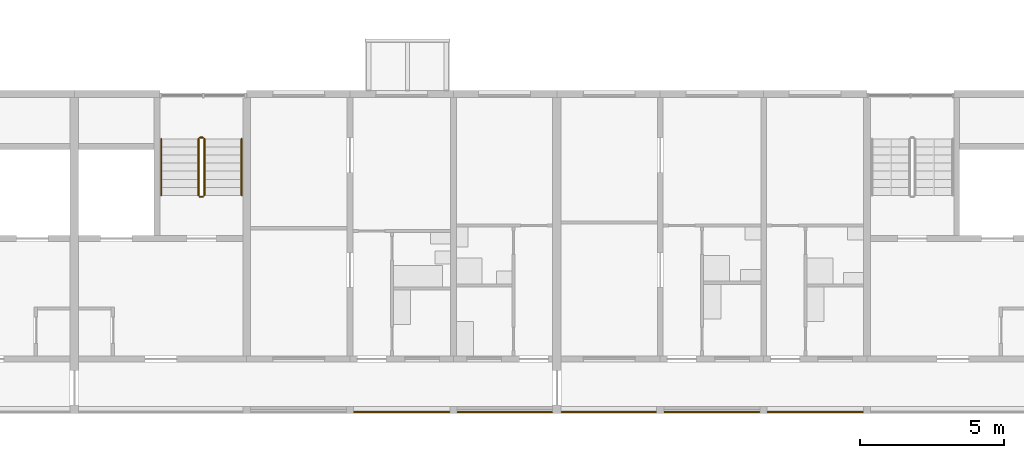
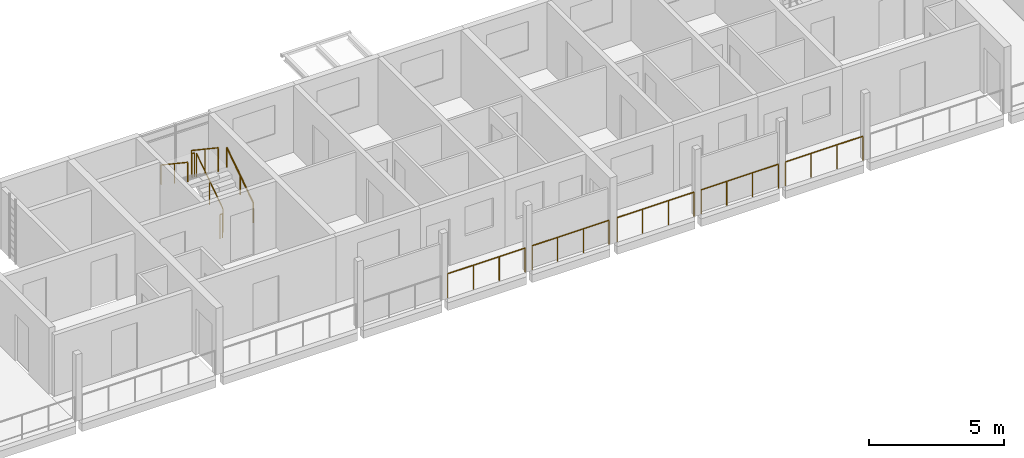
# One storey, part 55 of 64: 11 railings.
"""IFC4 building model written with IfcOpenShell, lengths in metres."""

from ifc_helpers import new_model, si_unit, direction, frame, origin, origin_2d, place, context, subcontext, project, spatial, circle, extrude, material, type_object, element, save


model = new_model("IFC4")

# Units and contexts
model_context = context("Model", 3, precision=1e-05, world=origin(), true_north=direction((0.0, 1.0)))
body_context = subcontext(model_context, "Body", "Model", "MODEL_VIEW")
ifc_project = project(units=[si_unit("LENGTHUNIT", "METRE"), si_unit("AREAUNIT", "SQUARE_METRE"), si_unit("VOLUMEUNIT", "CUBIC_METRE"), si_unit("PLANEANGLEUNIT", "RADIAN"), si_unit("MASSUNIT", "GRAM", prefix="KILO")], contexts=[model_context])

# Site, building, storey
site_placement = place(None, origin())
site = spatial("IfcSite", under=ifc_project, at=site_placement, CompositionType="ELEMENT")
building_placement = place(site_placement, origin())
building = spatial("IfcBuilding", under=site, at=building_placement, Name="Ridgestep Commons", CompositionType="ELEMENT")
storey_placement = place(building_placement, frame((0.0, 0.0, 33.0)))
storey = spatial("IfcBuildingStorey", under=building, at=storey_placement, Name="L11", CompositionType="ELEMENT", Elevation=33.0)

# Railings
ifc_material_1 = material(Name="Structural steel S355JR", Category="steel")
railing_type_1 = type_object("IfcRailingType", Name="Guard 1100", PredefinedType="GUARDRAIL", material=ifc_material_1)
railing_1_placement = place(storey_placement, frame((173.345947265625, 11.800048828125, 0.0)))
element("IfcRailing", 1, at=railing_1_placement, inside=storey, type_object=railing_type_1, Name="Gallery guard D 11.5", PredefinedType="GUARDRAIL", context=body_context, shape_type="SweptSolid", body=[
    extrude(circle(Radius=0.02392578125, at=origin_2d()), frame((0.0, 0.0, 1.076171875), z_axis=(1.0, 0.0, 0.0), x_axis=(0.0, 1.0, 0.0)), (0.0, 0.0, 1.0), 3.30810546875),
    extrude(circle(Radius=0.02099609375, at=origin_2d()), origin(), (0.0, 0.0, 1.0), 1.052001953125),
    extrude(circle(Radius=0.02099609375, at=origin_2d()), frame((1.102783203125, 0.0, 0.0)), (0.0, 0.0, 1.0), 1.052001953125),
    extrude(circle(Radius=0.02099609375, at=origin_2d()), frame((2.205322265625, 0.0, 0.0)), (0.0, 0.0, 1.0), 1.052001953125),
    extrude(circle(Radius=0.02099609375, at=origin_2d()), frame((3.30810546875, 0.0, 0.0)), (0.0, 0.0, 1.0), 1.052001953125),
])
for number, where, name in (
    (2, (176.946044921875, 11.800048828125, 0.0), "Gallery guard D 11.6"),
    (3, (180.571044921875, 11.800048828125, 0.0), "Gallery guard D 11.7"),
):
    element("IfcRailing", number, at=place(storey_placement, frame(where)), inside=storey, type_object=railing_type_1, Name=name, PredefinedType="GUARDRAIL", context=body_context, shape_type="SweptSolid", body=[
        extrude(circle(Radius=0.02392578125, at=origin_2d()), frame((0.0, 0.0, 1.076171875), z_axis=(1.0, 0.0, 0.0), x_axis=(0.0, 1.0, 0.0)), (0.0, 0.0, 1.0), 3.282958984375),
        extrude(circle(Radius=0.02099609375, at=origin_2d()), origin(), (0.0, 0.0, 1.0), 1.052001953125),
        extrude(circle(Radius=0.02099609375, at=origin_2d()), frame((1.09423828125, 0.0, 0.0)), (0.0, 0.0, 1.0), 1.052001953125),
        extrude(circle(Radius=0.02099609375, at=origin_2d()), frame((2.188720703125, 0.0, 0.0)), (0.0, 0.0, 1.0), 1.052001953125),
        extrude(circle(Radius=0.02099609375, at=origin_2d()), frame((3.282958984375, 0.0, 0.0)), (0.0, 0.0, 1.0), 1.052001953125),
    ])
railing_2_placement = place(storey_placement, frame((184.14599609375, 11.800048828125, 0.0)))
element("IfcRailing", 4, at=railing_2_placement, inside=storey, type_object=railing_type_1, Name="Gallery guard D 11.8", PredefinedType="GUARDRAIL", context=body_context, shape_type="SweptSolid", body=[
    extrude(circle(Radius=0.02392578125, at=origin_2d()), frame((0.0, 0.0, 1.076171875), z_axis=(1.0, 0.0, 0.0), x_axis=(0.0, 1.0, 0.0)), (0.0, 0.0, 1.0), 3.30810546875),
    extrude(circle(Radius=0.02099609375, at=origin_2d()), origin(), (0.0, 0.0, 1.0), 1.052001953125),
    extrude(circle(Radius=0.02099609375, at=origin_2d()), frame((1.102783203125, 0.0, 0.0)), (0.0, 0.0, 1.0), 1.052001953125),
    extrude(circle(Radius=0.02099609375, at=origin_2d()), frame((2.205322265625, 0.0, 0.0)), (0.0, 0.0, 1.0), 1.052001953125),
    extrude(circle(Radius=0.02099609375, at=origin_2d()), frame((3.30810546875, 0.0, 0.0)), (0.0, 0.0, 1.0), 1.052001953125),
])
railing_3_placement = place(storey_placement, frame((187.74609375, 11.800048828125, 0.0)))
element("IfcRailing", 5, at=railing_3_placement, inside=storey, type_object=railing_type_1, Name="Gallery guard D 11.9", PredefinedType="GUARDRAIL", context=body_context, shape_type="SweptSolid", body=[
    extrude(circle(Radius=0.02392578125, at=origin_2d()), frame((0.0, 0.0, 1.076171875), z_axis=(1.0, 0.0, 0.0), x_axis=(0.0, 1.0, 0.0)), (0.0, 0.0, 1.0), 3.307861328125),
    extrude(circle(Radius=0.02099609375, at=origin_2d()), origin(), (0.0, 0.0, 1.0), 1.052001953125),
    extrude(circle(Radius=0.02099609375, at=origin_2d()), frame((1.1025390625, 0.0, 0.0)), (0.0, 0.0, 1.0), 1.052001953125),
    extrude(circle(Radius=0.02099609375, at=origin_2d()), frame((2.205322265625, 0.0, 0.0)), (0.0, 0.0, 1.0), 1.052001953125),
    extrude(circle(Radius=0.02099609375, at=origin_2d()), frame((3.307861328125, 0.0, 0.0)), (0.0, 0.0, 1.0), 1.052001953125),
])
ifc_material_2 = material(Name="Structural steel S355JR", Category="steel")
railing_type_2 = type_object("IfcRailingType", Name="Stair guard 1100", PredefinedType="GUARDRAIL", material=ifc_material_2)
railing_4_placement = place(storey_placement, frame((168.125, 19.35009765625, 0.1875)))
element("IfcRailing", 6, at=railing_4_placement, inside=storey, type_object=railing_type_2, Name="L11 D2C stair guard 1", PredefinedType="GUARDRAIL", context=body_context, shape_type="SweptSolid", body=[
    extrude(circle(Radius=0.02392578125, at=origin_2d()), frame((0.0, 0.0, 1.076171875), z_axis=(0.0, 0.830902050051, 0.556418712142), x_axis=(-1.0, 0.0, 0.0)), (0.0, 0.0, 1.0), 2.35888671875),
    extrude(circle(Radius=0.02099609375, at=origin_2d()), origin(), (0.0, 0.0, 1.0), 1.052001953125),
    extrude(circle(Radius=0.02099609375, at=origin_2d()), frame((0.0, 0.97998046875, 0.65625)), (0.0, 0.0, 1.0), 1.052001953125),
    extrude(circle(Radius=0.02099609375, at=origin_2d()), frame((0.0, 1.9599609375, 1.3125)), (0.0, 0.0, 1.0), 1.052001953125),
])
railing_5_placement = place(storey_placement, frame((168.074951171875, 21.360107421875, 1.5)))
element("IfcRailing", 7, at=railing_5_placement, inside=storey, type_object=railing_type_2, Name="L11 D2C stair guard 2", PredefinedType="GUARDRAIL", context=body_context, shape_type="SweptSolid", body=[
    extrude(circle(Radius=0.02392578125, at=origin_2d()), frame((0.0, 0.0, 1.076171875), z_axis=(-1.0, 0.0, 0.0), x_axis=(0.0, -1.0, 0.0)), (0.0, 0.0, 1.0), 0.099853515625),
    extrude(circle(Radius=0.02099609375, at=origin_2d()), origin(), (0.0, 0.0, 1.0), 1.052001953125),
    extrude(circle(Radius=0.02099609375, at=origin_2d()), frame((-0.099853515625, 0.0, 0.0)), (0.0, 0.0, 1.0), 1.052001953125),
])
railing_6_placement = place(storey_placement, frame((167.925048828125, 21.31005859375, 1.6875)))
element("IfcRailing", 8, at=railing_6_placement, inside=storey, type_object=railing_type_2, Name="L11 D2C stair guard 3", PredefinedType="GUARDRAIL", context=body_context, shape_type="SweptSolid", body=[
    extrude(circle(Radius=0.02392578125, at=origin_2d()), frame((0.0, 0.0, 1.076171875), z_axis=(0.0, -0.830902050051, 0.556418712142), x_axis=(1.0, 0.0, 0.0)), (0.0, 0.0, 1.0), 2.35888671875),
    extrude(circle(Radius=0.02099609375, at=origin_2d()), origin(), (0.0, 0.0, 1.0), 1.052001953125),
    extrude(circle(Radius=0.02099609375, at=origin_2d()), frame((0.0, -0.97998046875, 0.65625)), (0.0, 0.0, 1.0), 1.052001953125),
    extrude(circle(Radius=0.02099609375, at=origin_2d()), frame((0.0, -1.9599609375, 1.3125)), (0.0, 0.0, 1.0), 1.052001953125),
])
railing_7_placement = place(storey_placement, frame((168.074951171875, 19.300048828125, 0.0)))
element("IfcRailing", 9, at=railing_7_placement, inside=storey, type_object=railing_type_2, Name="L11 D2C stair guard 4", PredefinedType="GUARDRAIL", context=body_context, shape_type="SweptSolid", body=[
    extrude(circle(Radius=0.02392578125, at=origin_2d()), frame((0.0, 0.0, 1.076171875), z_axis=(-1.0, 0.0, 0.0), x_axis=(0.0, -1.0, 0.0)), (0.0, 0.0, 1.0), 0.099853515625),
    extrude(circle(Radius=0.02099609375, at=origin_2d()), origin(), (0.0, 0.0, 1.0), 1.052001953125),
    extrude(circle(Radius=0.02099609375, at=origin_2d()), frame((-0.099853515625, 0.0, 0.0)), (0.0, 0.0, 1.0), 1.052001953125),
])
ifc_material_3 = material(Name="Structural steel S355JR", Category="steel")
railing_type_3 = type_object("IfcRailingType", Name="Stair handrail 900", PredefinedType="HANDRAIL", material=ifc_material_3)
railing_8_placement = place(storey_placement, frame((169.425048828125, 19.35009765625, 0.1875)))
element("IfcRailing", 10, at=railing_8_placement, inside=storey, type_object=railing_type_3, Name="L11 D2C stair handrail 1", PredefinedType="HANDRAIL", context=body_context, shape_type="SweptSolid", body=[
    extrude(circle(Radius=0.02392578125, at=origin_2d()), frame((0.0, 0.0, 0.8759765625), z_axis=(0.0, 0.830902050051, 0.556418712142), x_axis=(-1.0, 0.0, 0.0)), (0.0, 0.0, 1.0), 2.35888671875),
    extrude(circle(Radius=0.02099609375, at=origin_2d()), origin(), (0.0, 0.0, 1.0), 0.851806640625),
    extrude(circle(Radius=0.02099609375, at=origin_2d()), frame((0.0, 0.97998046875, 0.65625)), (0.0, 0.0, 1.0), 0.851806640625),
    extrude(circle(Radius=0.02099609375, at=origin_2d()), frame((0.0, 1.9599609375, 1.3125)), (0.0, 0.0, 1.0), 0.851806640625),
])
railing_9_placement = place(storey_placement, frame((166.625, 21.31005859375, 1.6875)))
element("IfcRailing", 11, at=railing_9_placement, inside=storey, type_object=railing_type_3, Name="L11 D2C stair handrail 2", PredefinedType="HANDRAIL", context=body_context, shape_type="SweptSolid", body=[
    extrude(circle(Radius=0.02392578125, at=origin_2d()), frame((0.0, 0.0, 0.8759765625), z_axis=(0.0, -0.830902050051, 0.556418712142), x_axis=(1.0, 0.0, 0.0)), (0.0, 0.0, 1.0), 2.35888671875),
    extrude(circle(Radius=0.02099609375, at=origin_2d()), origin(), (0.0, 0.0, 1.0), 0.851806640625),
    extrude(circle(Radius=0.02099609375, at=origin_2d()), frame((0.0, -0.97998046875, 0.65625)), (0.0, 0.0, 1.0), 0.851806640625),
    extrude(circle(Radius=0.02099609375, at=origin_2d()), frame((0.0, -1.9599609375, 1.3125)), (0.0, 0.0, 1.0), 0.851806640625),
])

save(model, "model.ifc")
